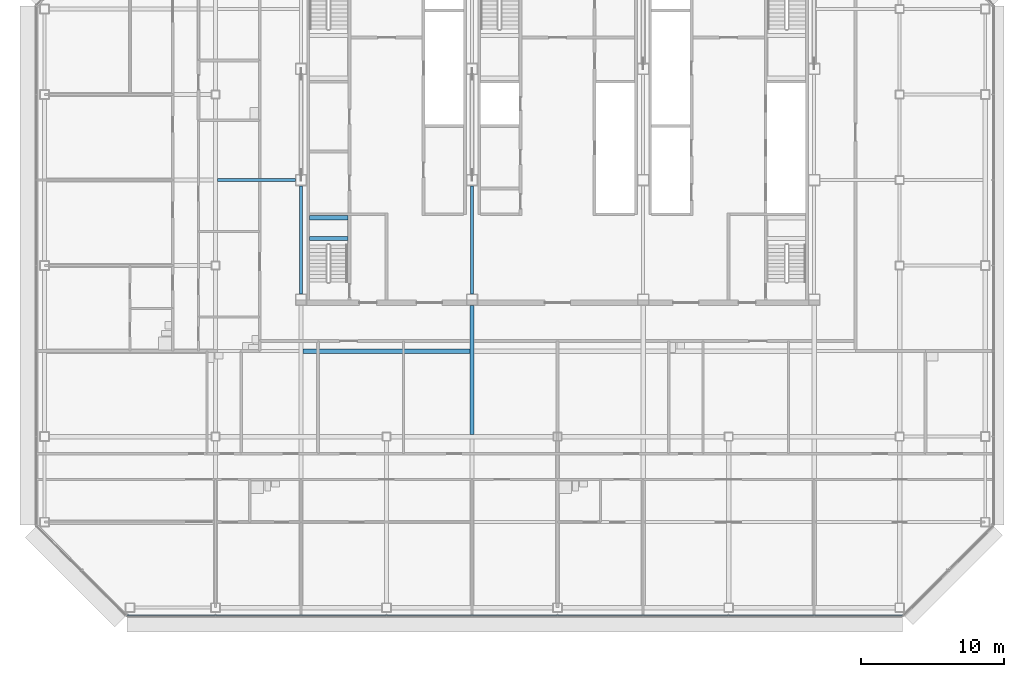
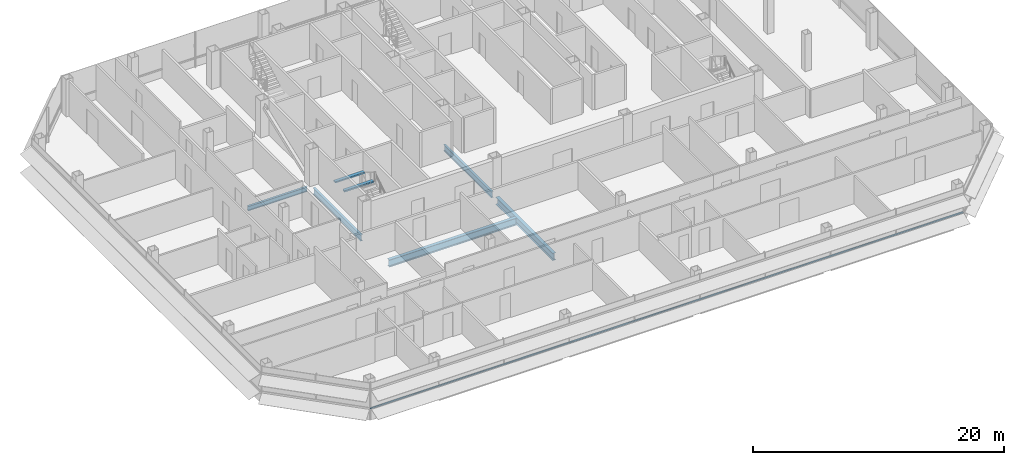
# One storey, part 7 of 26: 7 beams, 1 member, 1 element without a shape of its own.
"""IFC4 building model written with IfcOpenShell, lengths in metres."""

from ifc_helpers import new_model, si_unit, direction, frame, origin, origin_2d, place, context, subcontext, project, spatial, rectangle, i_section, extrude, material, material_profile, profile_set, type_object, element, aggregate, save


model = new_model("IFC4")

# Units and contexts
model_context = context("Model", 3, precision=1e-05, world=origin(), true_north=direction((0.0, 1.0)))
body_context = subcontext(model_context, "Body", "Model", "MODEL_VIEW")
ifc_project = project(units=[si_unit("LENGTHUNIT", "METRE"), si_unit("AREAUNIT", "SQUARE_METRE"), si_unit("VOLUMEUNIT", "CUBIC_METRE"), si_unit("PLANEANGLEUNIT", "RADIAN"), si_unit("MASSUNIT", "GRAM", prefix="KILO")], contexts=[model_context])

# Site, building, storey
site_placement = place(None, origin())
site = spatial("IfcSite", under=ifc_project, at=site_placement, CompositionType="ELEMENT")
building_placement = place(site_placement, origin())
building = spatial("IfcBuilding", under=site, at=building_placement, Name="Sorahane Residences", CompositionType="ELEMENT")
storey_placement = place(building_placement, frame((0.0, 0.0, 222.60009765625)))
storey = spatial("IfcBuildingStorey", under=building, at=storey_placement, Name="L52", CompositionType="ELEMENT", Elevation=222.60009765625)

# Curtain wall, member
ifc_material_1 = material(Name="Dark low-e glass and black anodised aluminium", Category="aluminium")
curtain_wall_type = type_object("IfcCurtainWallType", Name="Curtain wall CW-1 Typical unitised wall", PredefinedType="NOTDEFINED", material=ifc_material_1)
curtain_wall_placement = place(storey_placement, origin())
curtain_wall = element("IfcCurtainWall", 1, at=curtain_wall_placement, inside=storey, type_object=curtain_wall_type, Name="CW-1 curtain wall L52 S1", PredefinedType="NOTDEFINED")
ifc_material_2 = material(Name="Black anodised aluminium", Category="aluminium")
ifc_material_profile_1 = material_profile(ifc_material_2, rectangle(XDim=0.10009765625, YDim=0.06005859375, at=origin_2d()), Name="Curtain wall transom CW-1 black anodised aluminium 60x100")
ifc_profile_set_1 = profile_set([ifc_material_profile_1], Name="Black anodised aluminium")
member_type = type_object("IfcMemberType", Name="Curtain wall transom CW-1 black anodised aluminium 60x100", PredefinedType="USERDEFINED", material=ifc_profile_set_1)
member_placement = place(storey_placement, frame((-6.198486328125, -0.530029296875, 0.89990234375), z_axis=(1.0, 0.0, 0.0), x_axis=(0.0, 1.0, 0.0)))
member = element("IfcMember", 2, at=member_placement, type_object=member_type, Name="CW-1 transom L52 S1", ObjectType="TRANSOM", PredefinedType="USERDEFINED", context=body_context, shape_type="SweptSolid", body=[
    extrude(rectangle(XDim=0.10009765625, YDim=0.06005859375, at=origin_2d()), origin(), (0.0, 0.0, 1.0), 54.39697265625),
])
aggregate(curtain_wall, [member])

# Beams
ifc_material_3 = material(Name="Concrete C40", Category="concrete")
ifc_material_profile_2 = material_profile(ifc_material_3, rectangle(XDim=0.300048828125, YDim=0.139892578125, at=origin_2d()), Name="300x140")
ifc_profile_set_2 = profile_set([ifc_material_profile_2], Name="Concrete C40")
beam_type_1 = type_object("IfcBeamType", Name="RC landing beam 300 x 140 Concrete C40", PredefinedType="BEAM", material=ifc_profile_set_2)
for number, where, z_axis, x_axis, name in (
    (3, (6.60009765625, 25.89990234375, 1.52978515625), (1.0, 0.0, 0.0), (0.0, 1.0, 0.0), "Landing beam"),
    (4, (6.60009765625, 27.35009765625, 1.52978515625), (1.0, 0.0, 0.0), (0.0, 1.0, 0.0), "Landing beam"),
):
    element("IfcBeam", number, at=place(storey_placement, frame(where, z_axis=z_axis, x_axis=x_axis)), inside=storey, type_object=beam_type_1, Name=name, PredefinedType="BEAM", context=body_context, shape_type="SweptSolid", body=[
        extrude(rectangle(XDim=0.300048828125, YDim=0.139892578125, at=origin_2d()), origin(), (0.0, 0.0, 1.0), 2.699951171875),
    ])
ifc_material_4 = material(Name="Steel Q355B", Category="steel")
ifc_material_profile_3 = material_profile(ifc_material_4, i_section(OverallWidth=0.199951171875, OverallDepth=0.449951171875, WebThickness=0.009033203125, FlangeThickness=0.013916015625, FilletRadius=0.02001953125, at=origin_2d()), Name="HN 450x200x9x14")
ifc_profile_set_3 = profile_set([ifc_material_profile_3], Name="Steel Q355B")
beam_type_2 = type_object("IfcBeamType", Name="Steel floor beam HN 450x200x9x14 Q355B", PredefinedType="BEAM", material=ifc_profile_set_3)
beam_1_placement = place(storey_placement, frame((0.14990234375, 30.0, -0.405029296875), z_axis=(1.0, 0.0, 0.0), x_axis=(0.0, 1.0, 0.0)))
element("IfcBeam", 5, at=beam_1_placement, inside=storey, type_object=beam_type_2, Name="Beam L52 086", PredefinedType="BEAM", context=body_context, shape_type="SweptSolid", body=[
    extrude(i_section(OverallWidth=0.199951171875, OverallDepth=0.449951171875, WebThickness=0.009033203125, FlangeThickness=0.013916015625, FilletRadius=0.02001953125, at=origin_2d()), origin(), (0.0, 0.0, 1.0), 5.4501953125),
])
ifc_material_5 = material(Name="Steel Q355B", Category="steel")
ifc_material_profile_4 = material_profile(ifc_material_5, i_section(OverallWidth=0.199951171875, OverallDepth=0.60009765625, WebThickness=0.010986328125, FlangeThickness=0.01708984375, FilletRadius=0.02392578125, at=origin_2d()), Name="HN 600x200x11x17")
ifc_profile_set_4 = profile_set([ifc_material_profile_4], Name="Steel Q355B")
beam_type_3 = type_object("IfcBeamType", Name="Steel floor beam HN 600x200x11x17 Q355B", PredefinedType="BEAM", material=ifc_profile_set_4)
for number, where, z_axis, x_axis, name in (
    (6, (6.0, 22.0, -0.47998046875), (0.0, 1.0, 0.0), (-1.0, 0.0, 0.0), "Beam L52 030"),
    (7, (18.0, 22.0, -0.47998046875), (0.0, 1.0, 0.0), (-1.0, 0.0, 0.0), "Beam L52 038"),
):
    element("IfcBeam", number, at=place(storey_placement, frame(where, z_axis=z_axis, x_axis=x_axis)), inside=storey, type_object=beam_type_3, Name=name, PredefinedType="BEAM", context=body_context, shape_type="SweptSolid", body=[
        extrude(i_section(OverallWidth=0.199951171875, OverallDepth=0.60009765625, WebThickness=0.010986328125, FlangeThickness=0.01708984375, FilletRadius=0.02392578125, at=origin_2d()), origin(), (0.0, 0.0, 1.0), 7.60009765625),
    ])
ifc_material_6 = material(Name="Steel Q355B", Category="steel")
ifc_material_profile_5 = material_profile(ifc_material_6, i_section(OverallWidth=0.300048828125, OverallDepth=0.699951171875, WebThickness=0.012939453125, FlangeThickness=0.02392578125, FilletRadius=0.028076171875, at=origin_2d()), Name="HN 700x300x13x24")
ifc_profile_set_5 = profile_set([ifc_material_profile_5], Name="Steel Q355B")
beam_type_4 = type_object("IfcBeamType", Name="Steel floor beam HN 700x300x13x24 Q355B", PredefinedType="BEAM", material=ifc_profile_set_5)
beam_2_placement = place(storey_placement, frame((18.0, 12.14990234375, -0.530029296875), z_axis=(0.0, 1.0, 0.0), x_axis=(-1.0, 0.0, 0.0)))
element("IfcBeam", 8, at=beam_2_placement, inside=storey, type_object=beam_type_4, Name="Beam L52 037", PredefinedType="BEAM", context=body_context, shape_type="SweptSolid", body=[
    extrude(i_section(OverallWidth=0.300048828125, OverallDepth=0.699951171875, WebThickness=0.012939453125, FlangeThickness=0.02392578125, FilletRadius=0.028076171875, at=origin_2d()), origin(), (0.0, 0.0, 1.0), 9.050048828125),
])
beam_3_placement = place(storey_placement, frame((6.14990234375, 18.0, -0.530029296875), z_axis=(1.0, 0.0, 0.0), x_axis=(0.0, 1.0, 0.0)))
element("IfcBeam", 9, at=beam_3_placement, inside=storey, type_object=beam_type_4, Name="Beam L52 080", PredefinedType="BEAM", context=body_context, shape_type="SweptSolid", body=[
    extrude(i_section(OverallWidth=0.300048828125, OverallDepth=0.699951171875, WebThickness=0.012939453125, FlangeThickness=0.02392578125, FilletRadius=0.028076171875, at=origin_2d()), origin(), (0.0, 0.0, 1.0), 11.7001953125),
])

save(model, "model.ifc")
